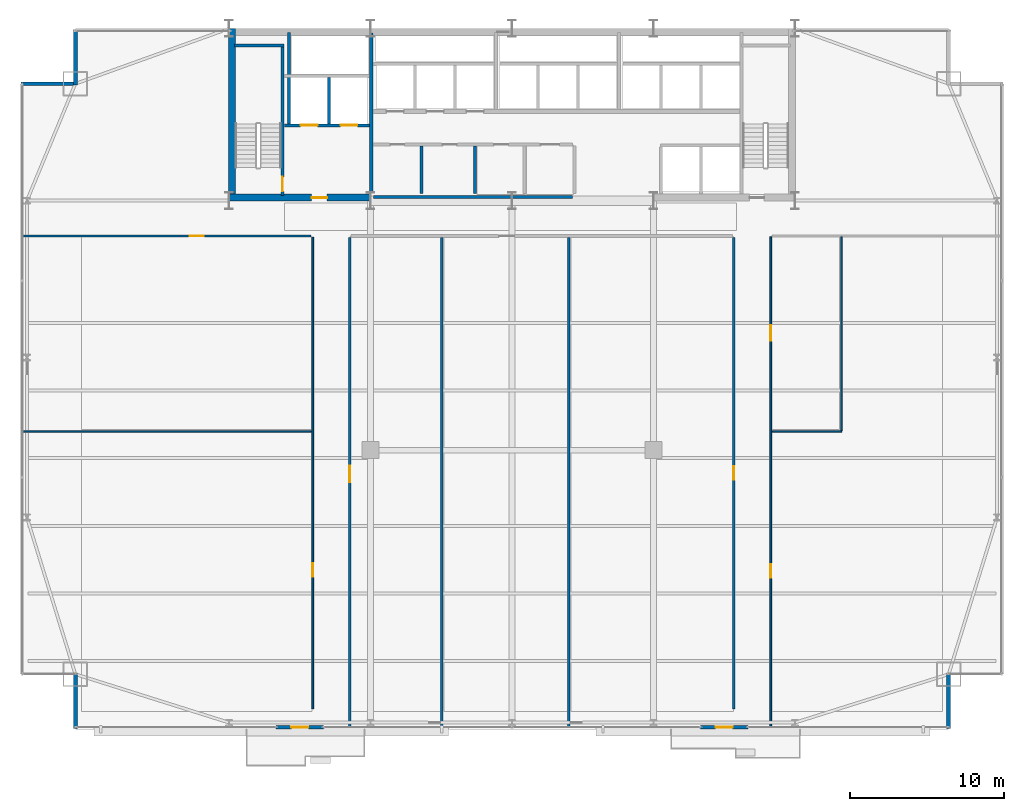
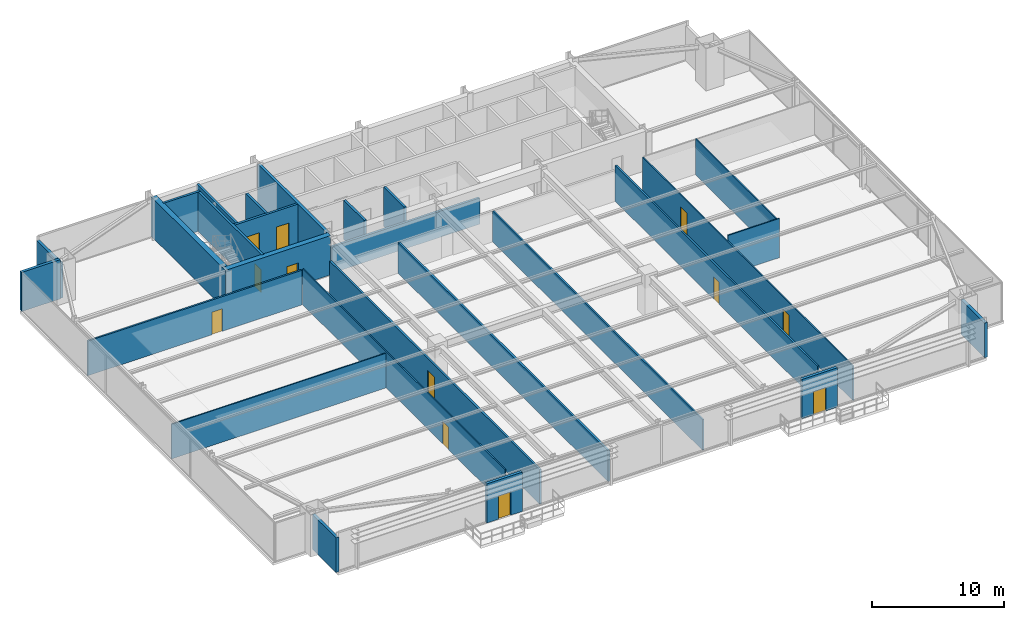
# One storey, part 27 of 31: 27 walls, 12 doors, 12 openings.
"""IFC4 building model written with IfcOpenShell, lengths in metres."""

from ifc_helpers import new_model, si_unit, direction, frame, frame_2d, origin, place, context, subcontext, project, spatial, rectangle, extrude, source, transform, mapped, material, layer, layer_set, type_object, type_shapes, element, fill, save


model = new_model("IFC4")

# Units and contexts
model_context = context("Model", 3, precision=1e-05, world=origin(), true_north=direction((0.0, 1.0)))
body_context = subcontext(model_context, "Body", "Model", "MODEL_VIEW")
ifc_project = project(units=[si_unit("LENGTHUNIT", "METRE"), si_unit("AREAUNIT", "SQUARE_METRE"), si_unit("VOLUMEUNIT", "CUBIC_METRE"), si_unit("PLANEANGLEUNIT", "RADIAN"), si_unit("MASSUNIT", "GRAM", prefix="KILO")], contexts=[model_context])

# Site, building, storey
site_placement = place(None, origin())
site = spatial("IfcSite", under=ifc_project, at=site_placement, CompositionType="ELEMENT")
building_placement = place(site_placement, origin())
building = spatial("IfcBuilding", under=site, at=building_placement, Name="Varnel Quay Broadcast Tower", CompositionType="ELEMENT")
storey_placement = place(building_placement, frame((0.0, 0.0, 35.39990234375)))
storey = spatial("IfcBuildingStorey", under=building, at=storey_placement, Name="L07", CompositionType="ELEMENT", Elevation=35.39990234375)

# Wall, opening, door
ifc_material_1 = material(Name="Concrete CSA A23.3 C50/60", Category="concrete")
ifc_layer_1 = layer(ifc_material_1, 0.199951171875, Name="Concrete CSA A23.3 C50/60")
ifc_layer_set_1 = layer_set([ifc_layer_1], Name="Concrete CSA A23.3 C50/60")
wall_type_1 = type_object("IfcWallType", Name="Wall_CoreShaftShear200", PredefinedType="SHEAR", material=ifc_layer_set_1)
wall_1_placement = place(storey_placement, frame((19.080078125, 35.949951171875, 0.0), z_axis=(0.0, 0.0, 1.0), x_axis=(0.0, 1.0, 0.0)))
wall_1 = element("IfcWall", 1, at=wall_1_placement, inside=storey, type_object=wall_type_1, Name="L07 Stair 1 East Structural Wall", PredefinedType="SHEAR", context=body_context, shape_type="SweptSolid", body=[
    extrude(rectangle(XDim=9.650146484375, YDim=0.199951171875, at=frame_2d((4.8251953125, 0.0))), origin(), (0.0, 0.0, 1.0), 3.650146484375),
])
opening_1_placement = place(wall_1_placement, frame((0.25, 0.0, 0.0)))
opening_1 = element("IfcOpeningElement", 2, at=opening_1_placement, cuts=wall_1, Name="Opening D-L07-S1", PredefinedType="OPENING", context=body_context, shape_type="SweptSolid", body=[
    extrude(rectangle(XDim=0.949951171875, YDim=2.10009765625, at=frame_2d((0.47509765625, 1.050048828125))), frame((0.0, 0.10986328125, 0.0), z_axis=(0.0, -1.0, 0.0), x_axis=(1.0, 0.0, 0.0)), (0.0, 0.0, 1.0), 0.219970703125),
])
ifc_material_2 = material(Name="Insulated Fire-Rated Hollow Steel Door", Category="steel")
door_type_1 = type_object("IfcDoorType", Name="Door_FireStair950", OperationType="NOTDEFINED", PredefinedType="DOOR", material=ifc_material_2)
shared_shape_1 = source(origin(), body_context, "Body", "SweptSolid", [
    extrude(rectangle(XDim=0.949951171875, YDim=2.10009765625, at=frame_2d((0.47509765625, 1.050048828125))), frame((0.0, 0.02490234375, 0.0), z_axis=(0.0, -1.0, 0.0), x_axis=(1.0, 0.0, 0.0)), (0.0, 0.0, 1.0), 0.050048828125),
])
type_shapes(door_type_1, [shared_shape_1])
door_1_placement = place(opening_1_placement, origin())
door_1 = element("IfcDoor", 3, at=door_1_placement, inside=storey, type_object=door_type_1, Name="L07 Stair 1 Fire Door", OperationType="SINGLE_SWING_RIGHT", OverallHeight=2.10009765625, OverallWidth=0.949951171875, PredefinedType="DOOR", context=body_context, shape_type="MappedRepresentation", body=[
    mapped(shared_shape_1, transform((0.0, 0.0, 0.0), x_axis=(1.0, 0.0, 0.0), y_axis=(0.0, 1.0, 0.0), z_axis=(0.0, 0.0, 1.0), scale=1.0)),
])
fill(opening_1, door_1)

# Wall
wall_2_placement = place(storey_placement, frame((15.949951171875, 45.679931640625, 0.0), z_axis=(0.0, 0.0, 1.0), x_axis=(1.0, 0.0, 0.0)))
element("IfcWall", 4, at=wall_2_placement, inside=storey, type_object=wall_type_1, Name="L07 Stair 1 North Structural Wall", PredefinedType="SHEAR", context=body_context, shape_type="SweptSolid", body=[
    extrude(rectangle(XDim=3.22998046875, YDim=0.199951171875, at=frame_2d((1.614990234375, 0.0))), origin(), (0.0, 0.0, 1.0), 3.650146484375),
])

# Wall, openings, doors
wall_3_placement = place(storey_placement, frame((19.199951171875, 40.5, 0.0), z_axis=(0.0, 0.0, 1.0), x_axis=(1.0, 0.0, 0.0)))
wall_3 = element("IfcWall", 5, at=wall_3_placement, inside=storey, type_object=wall_type_1, Name="L07 Firefighter Lift Shaft Front Wall", PredefinedType="SHEAR", context=body_context, shape_type="SweptSolid", body=[
    extrude(rectangle(XDim=5.52001953125, YDim=0.199951171875, at=frame_2d((2.760009765625, 0.0))), origin(), (0.0, 0.0, 1.0), 3.650146484375),
])
opening_2_placement = place(wall_3_placement, frame((1.050048828125, 0.0, 0.0)))
opening_2 = element("IfcOpeningElement", 6, at=opening_2_placement, cuts=wall_3, Name="Opening LD-L07-FE1", PredefinedType="OPENING", context=body_context, shape_type="SweptSolid", body=[
    extrude(rectangle(XDim=1.10009765625, YDim=2.179931640625, at=frame_2d((0.550048828125, 1.08984375))), frame((0.0, 0.10986328125, 0.0), z_axis=(0.0, -1.0, 0.0), x_axis=(1.0, 0.0, 0.0)), (0.0, 0.0, 1.0), 0.219970703125),
])
opening_3_placement = place(wall_3_placement, frame((3.64990234375, 0.0, 0.0)))
opening_3 = element("IfcOpeningElement", 7, at=opening_3_placement, cuts=wall_3, Name="Opening LD-L07-FE2", PredefinedType="OPENING", context=body_context, shape_type="SweptSolid", body=[
    extrude(rectangle(XDim=1.10009765625, YDim=2.179931640625, at=frame_2d((0.550048828125, 1.08984375))), frame((0.0, 0.10986328125, 0.0), z_axis=(0.0, -1.0, 0.0), x_axis=(1.0, 0.0, 0.0)), (0.0, 0.0, 1.0), 0.219970703125),
])
ifc_material_3 = material(Name="Brushed Bronze-Stainless Lift Car & Sliding Doors", Category="steel")
door_type_2 = type_object("IfcDoorType", Name="Door_LiftLanding1100", OperationType="SLIDING_TO_LEFT", PredefinedType="DOOR", material=ifc_material_3)
shared_shape_2 = source(origin(), body_context, "Body", "SweptSolid", [
    extrude(rectangle(XDim=1.10009765625, YDim=2.179931640625, at=frame_2d((0.550048828125, 1.08984375))), frame((0.0, 0.02490234375, 0.0), z_axis=(0.0, -1.0, 0.0), x_axis=(1.0, 0.0, 0.0)), (0.0, 0.0, 1.0), 0.050048828125),
])
type_shapes(door_type_2, [shared_shape_2])
door_2_placement = place(opening_2_placement, frame((1.10009765625, 0.0, 0.0), z_axis=(0.0, 0.0, 1.0), x_axis=(-1.0, 0.0, 0.0)))
door_2 = element("IfcDoor", 8, at=door_2_placement, inside=storey, type_object=door_type_2, Name="L07 Firefighter Lift FE-01 Landing Door", OperationType="SLIDING_TO_LEFT", OverallHeight=2.179931640625, OverallWidth=1.10009765625, PredefinedType="DOOR", context=body_context, shape_type="MappedRepresentation", body=[
    mapped(shared_shape_2, transform((0.0, 0.0, 0.0), x_axis=(1.0, 0.0, 0.0), y_axis=(0.0, 1.0, 0.0), z_axis=(0.0, 0.0, 1.0), scale=1.0)),
])
fill(opening_2, door_2)
door_3_placement = place(opening_3_placement, frame((1.10009765625, 0.0, 0.0), z_axis=(0.0, 0.0, 1.0), x_axis=(-1.0, 0.0, 0.0)))
door_3 = element("IfcDoor", 9, at=door_3_placement, inside=storey, type_object=door_type_2, Name="L07 Firefighter Lift FE-02 Landing Door", OperationType="SLIDING_TO_RIGHT", OverallHeight=2.179931640625, OverallWidth=1.10009765625, PredefinedType="DOOR", context=body_context, shape_type="MappedRepresentation", body=[
    mapped(shared_shape_2, transform((0.0, 0.0, 0.0), x_axis=(1.0, 0.0, 0.0), y_axis=(0.0, 1.0, 0.0), z_axis=(0.0, 0.0, 1.0), scale=1.0)),
])
fill(opening_3, door_3)

# Walls
wall_4_placement = place(storey_placement, frame((22.10009765625, 40.60009765625, 0.0), z_axis=(0.0, 0.0, 1.0), x_axis=(0.0, 1.0, 0.0)))
element("IfcWall", 10, at=wall_4_placement, inside=storey, type_object=wall_type_1, Name="L07 Firefighter Lift Shaft Divider", PredefinedType="SHEAR", context=body_context, shape_type="SweptSolid", body=[
    extrude(rectangle(XDim=3.0, YDim=0.199951171875, at=frame_2d((1.5, 0.0))), origin(), (0.0, 0.0, 1.0), 3.650146484375),
])
wall_5_placement = place(storey_placement, frame((19.5, 40.60009765625, 0.0), z_axis=(0.0, 0.0, 1.0), x_axis=(0.0, 1.0, 0.0)))
element("IfcWall", 11, at=wall_5_placement, inside=storey, type_object=wall_type_1, Name="L07 Firefighter Lift Shaft West Wall", PredefinedType="SHEAR", context=body_context, shape_type="SweptSolid", body=[
    extrude(rectangle(XDim=5.949951171875, YDim=0.199951171875, at=frame_2d((2.97509765625, 0.0))), origin(), (0.0, 0.0, 1.0), 3.650146484375),
])
ifc_layer_2 = layer(ifc_material_1, 0.25, Name="Concrete CSA A23.3 C50/60")
ifc_layer_set_2 = layer_set([ifc_layer_2], Name="Concrete CSA A23.3 C50/60")
wall_type_2 = type_object("IfcWallType", Name="Wall_CoreShaftShear250", PredefinedType="SHEAR", material=ifc_layer_set_2)
wall_6_placement = place(storey_placement, frame((24.85009765625, 36.050048828125, 0.0), z_axis=(0.0, 0.0, 1.0), x_axis=(0.0, 1.0, 0.0)))
element("IfcWall", 12, at=wall_6_placement, inside=storey, type_object=wall_type_2, Name="L07 Firefighting Lobby East Structural Wall", PredefinedType="SHEAR", context=body_context, shape_type="SweptSolid", body=[
    extrude(rectangle(XDim=10.449951171875, YDim=0.25, at=frame_2d((5.22509765625, 0.0))), origin(), (0.0, 0.0, 1.0), 3.650146484375),
])
ifc_material_4 = material(Name="Concrete CSA A23.3 C60/75", Category="concrete")
ifc_layer_3 = layer(ifc_material_4, 0.449951171875, Name="Concrete CSA A23.3 C60/75")
ifc_layer_set_3 = layer_set([ifc_layer_3], Name="Concrete CSA A23.3 C60/75")
wall_type_3 = type_object("IfcWallType", Name="Wall_CoreShearInt450", PredefinedType="SHEAR", material=ifc_layer_set_3)
wall_7_placement = place(storey_placement, frame((15.794921875, 35.570068359375, 0.0), z_axis=(0.0, 0.0, 1.0), x_axis=(0.0, 1.0, 0.0)))
element("IfcWall", 13, at=wall_7_placement, inside=storey, type_object=wall_type_3, Name="L07 West Core Shear Wall", PredefinedType="SHEAR", context=body_context, shape_type="SweptSolid", body=[
    extrude(rectangle(XDim=11.22998046875, YDim=0.449951171875, at=frame_2d((5.614990234375, 0.0))), origin(), (0.0, 0.0, 1.0), 3.650146484375),
])

# Wall, opening, door
wall_8_placement = place(storey_placement, frame((15.570068359375, 35.794921875, 0.0), z_axis=(0.0, 0.0, 1.0), x_axis=(1.0, 0.0, 0.0)))
wall_8 = element("IfcWall", 14, at=wall_8_placement, inside=storey, type_object=wall_type_3, Name="L07 South-West Core Shear Wall", PredefinedType="SHEAR", context=body_context, shape_type="SweptSolid", body=[
    extrude(rectangle(XDim=9.22998046875, YDim=0.449951171875, at=frame_2d((4.614990234375, 0.0))), origin(), (0.0, 0.0, 1.0), 3.650146484375),
])
opening_4_placement = place(wall_8_placement, frame((5.39990234375, 0.0, 0.0)))
opening_4 = element("IfcOpeningElement", 15, at=opening_4_placement, cuts=wall_8, Name="Opening D-L07-FFL", PredefinedType="OPENING", context=body_context, shape_type="SweptSolid", body=[
    extrude(rectangle(XDim=1.0, YDim=2.10009765625, at=frame_2d((0.5, 1.050048828125))), frame((0.0, 0.23486328125, 0.0), z_axis=(0.0, -1.0, 0.0), x_axis=(1.0, 0.0, 0.0)), (0.0, 0.0, 1.0), 0.469970703125),
])
door_type_3 = type_object("IfcDoorType", Name="Door_FireLobby1000", OperationType="NOTDEFINED", PredefinedType="DOOR", material=ifc_material_2)
shared_shape_3 = source(origin(), body_context, "Body", "SweptSolid", [
    extrude(rectangle(XDim=1.0, YDim=2.10009765625, at=frame_2d((0.5, 1.050048828125))), frame((0.0, 0.02490234375, 0.0), z_axis=(0.0, -1.0, 0.0), x_axis=(1.0, 0.0, 0.0)), (0.0, 0.0, 1.0), 0.050048828125),
])
type_shapes(door_type_3, [shared_shape_3])
door_4_placement = place(opening_4_placement, origin())
door_4 = element("IfcDoor", 16, at=door_4_placement, inside=storey, type_object=door_type_3, Name="L07 Firefighting Lobby Door", OperationType="SINGLE_SWING_LEFT", OverallHeight=2.10009765625, OverallWidth=1.0, PredefinedType="DOOR", context=body_context, shape_type="MappedRepresentation", body=[
    mapped(shared_shape_3, transform((0.0, 0.0, 0.0), x_axis=(1.0, 0.0, 0.0), y_axis=(0.0, 1.0, 0.0), z_axis=(0.0, 0.0, 1.0), scale=1.0)),
])
fill(opening_4, door_4)

ifc_material_5 = material(Name="Precast Architectural Concrete C40/50", Category="concrete")
ifc_layer_4 = layer(ifc_material_5, 0.25, Name="Precast Architectural Concrete C40/50")
ifc_layer_set_4 = layer_set([ifc_layer_4], Name="Precast Architectural Concrete C40/50")
wall_type_4 = type_object("IfcWallType", Name="Wall_ExtTerrace250", PredefinedType="SOLIDWALL", material=ifc_layer_set_4)
wall_9_placement = place(storey_placement, frame((18.64990234375, 1.35009765625, 0.0), z_axis=(0.0, 0.0, 1.0), x_axis=(1.0, 0.0, 0.0)))
wall_9 = element("IfcWall", 17, at=wall_9_placement, inside=storey, type_object=wall_type_4, Name="L07 Terrace Access Wall 1", PredefinedType="SOLIDWALL", context=body_context, shape_type="SweptSolid", body=[
    extrude(rectangle(XDim=3.10009765625, YDim=0.25, at=frame_2d((1.550048828125, 0.0))), origin(), (0.0, 0.0, 1.0), 3.630126953125),
])
opening_5_placement = place(wall_9_placement, frame((1.0, 0.0, 0.0)))
opening_5 = element("IfcOpeningElement", 18, at=opening_5_placement, cuts=wall_9, Name="Opening TD-071", PredefinedType="OPENING", context=body_context, shape_type="SweptSolid", body=[
    extrude(rectangle(XDim=1.10009765625, YDim=2.14990234375, at=frame_2d((0.550048828125, 1.074951171875))), frame((0.0, 0.135009765625, 0.0), z_axis=(0.0, -1.0, 0.0), x_axis=(1.0, 0.0, 0.0)), (0.0, 0.0, 1.0), 0.27001953125),
])
ifc_material_6 = material(Name="Anodised Bronze Aluminium 6063-T6", Category="aluminium")
door_type_4 = type_object("IfcDoorType", Name="Door_ExtTerrace1100", OperationType="NOTDEFINED", PredefinedType="DOOR", material=ifc_material_6)
shared_shape_4 = source(origin(), body_context, "Body", "SweptSolid", [
    extrude(rectangle(XDim=1.10009765625, YDim=2.14990234375, at=frame_2d((0.550048828125, 1.074951171875))), frame((0.0, 0.02490234375, 0.0), z_axis=(0.0, -1.0, 0.0), x_axis=(1.0, 0.0, 0.0)), (0.0, 0.0, 1.0), 0.050048828125),
])
type_shapes(door_type_4, [shared_shape_4])
door_5_placement = place(opening_5_placement, frame((1.10009765625, 0.0, 0.0), z_axis=(0.0, 0.0, 1.0), x_axis=(-1.0, 0.0, 0.0)))
door_5 = element("IfcDoor", 19, at=door_5_placement, inside=storey, type_object=door_type_4, Name="L07 Terrace Door TD-071", OperationType="SINGLE_SWING_LEFT", OverallHeight=2.14990234375, OverallWidth=1.10009765625, PredefinedType="DOOR", context=body_context, shape_type="MappedRepresentation", body=[
    mapped(shared_shape_4, transform((0.0, 0.0, 0.0), x_axis=(1.0, 0.0, 0.0), y_axis=(0.0, 1.0, 0.0), z_axis=(0.0, 0.0, 1.0), scale=1.0)),
])
fill(opening_5, door_5)

wall_10_placement = place(storey_placement, frame((46.25, 1.35009765625, 0.0), z_axis=(0.0, 0.0, 1.0), x_axis=(1.0, 0.0, 0.0)))
wall_10 = element("IfcWall", 20, at=wall_10_placement, inside=storey, type_object=wall_type_4, Name="L07 Terrace Access Wall 2", PredefinedType="SOLIDWALL", context=body_context, shape_type="SweptSolid", body=[
    extrude(rectangle(XDim=3.10009765625, YDim=0.25, at=frame_2d((1.550048828125, 0.0))), origin(), (0.0, 0.0, 1.0), 3.630126953125),
])
opening_6_placement = place(wall_10_placement, frame((1.0, 0.0, 0.0)))
opening_6 = element("IfcOpeningElement", 21, at=opening_6_placement, cuts=wall_10, Name="Opening TD-072", PredefinedType="OPENING", context=body_context, shape_type="SweptSolid", body=[
    extrude(rectangle(XDim=1.10009765625, YDim=2.14990234375, at=frame_2d((0.550048828125, 1.074951171875))), frame((0.0, 0.135009765625, 0.0), z_axis=(0.0, -1.0, 0.0), x_axis=(1.0, 0.0, 0.0)), (0.0, 0.0, 1.0), 0.27001953125),
])
door_6_placement = place(opening_6_placement, frame((1.10009765625, 0.0, 0.0), z_axis=(0.0, 0.0, 1.0), x_axis=(-1.0, 0.0, 0.0)))
door_6 = element("IfcDoor", 22, at=door_6_placement, inside=storey, type_object=door_type_4, Name="L07 Terrace Door TD-072", OperationType="SINGLE_SWING_RIGHT", OverallHeight=2.14990234375, OverallWidth=1.10009765625, PredefinedType="DOOR", context=body_context, shape_type="MappedRepresentation", body=[
    mapped(shared_shape_4, transform((0.0, 0.0, 0.0), x_axis=(1.0, 0.0, 0.0), y_axis=(0.0, 1.0, 0.0), z_axis=(0.0, 0.0, 1.0), scale=1.0)),
])
fill(opening_6, door_6)

# Walls
for number, where, z_axis, x_axis, name in (
    (23, (5.60009765625, 1.280029296875, 0.0), (0.0, 0.0, 1.0), (0.0, 1.0, 0.0), "L07 Mega-Column Notch Cladding Wall NSW2"),
    (24, (62.39990234375, 1.280029296875, 0.0), (0.0, 0.0, 1.0), (0.0, 1.0, 0.0), "L07 Mega-Column Notch Cladding Wall NSE2"),
):
    element("IfcWall", number, at=place(storey_placement, frame(where, z_axis=z_axis, x_axis=x_axis)), inside=storey, type_object=wall_type_4, Name=name, PredefinedType="SOLIDWALL", context=body_context, shape_type="SweptSolid", body=[
        extrude(rectangle(XDim=3.599853515625, YDim=0.25, at=frame_2d((1.7998046875, 0.0))), origin(), (0.0, 0.0, 1.0), 3.2080078125),
    ])
wall_11_placement = place(storey_placement, frame((2.080078125, 43.199951171875, 0.0), z_axis=(0.0, 0.0, 1.0), x_axis=(1.0, 0.0, 0.0)))
element("IfcWall", 25, at=wall_11_placement, inside=storey, type_object=wall_type_4, Name="L07 Mega-Column Notch Cladding Wall NNW1", PredefinedType="SOLIDWALL", context=body_context, shape_type="SweptSolid", body=[
    extrude(rectangle(XDim=3.389892578125, YDim=0.25, at=frame_2d((1.69482421875, 0.0))), origin(), (0.0, 0.0, 1.0), 3.630126953125),
])
wall_12_placement = place(storey_placement, frame((5.60009765625, 43.1201171875, 0.0), z_axis=(0.0, 0.0, 1.0), x_axis=(0.0, 1.0, 0.0)))
element("IfcWall", 26, at=wall_12_placement, inside=storey, type_object=wall_type_4, Name="L07 Mega-Column Notch Cladding Wall NNW2", PredefinedType="SOLIDWALL", context=body_context, shape_type="SweptSolid", body=[
    extrude(rectangle(XDim=3.599853515625, YDim=0.25, at=frame_2d((1.7998046875, 0.0))), origin(), (0.0, 0.0, 1.0), 3.2080078125),
])
ifc_material_7 = material(Name="Concrete Blockwork Fire Enclosure C40/50", Category="masonry")
ifc_layer_5 = layer(ifc_material_7, 0.199951171875, Name="Concrete Blockwork Fire Enclosure C40/50")
ifc_layer_set_5 = layer_set([ifc_layer_5], Name="Concrete Blockwork Fire Enclosure C40/50")
wall_type_5 = type_object("IfcWallType", Name="Wall_FireShaft200", PredefinedType="SOLIDWALL", material=ifc_layer_set_5)
wall_13_placement = place(storey_placement, frame((25.0, 35.824951171875, 0.0), z_axis=(0.0, 0.0, 1.0), x_axis=(1.0, 0.0, 0.0)))
element("IfcWall", 27, at=wall_13_placement, inside=storey, type_object=wall_type_5, Name="L07 Accessible Universal Washroom Partition 1", PredefinedType="SOLIDWALL", context=body_context, shape_type="SweptSolid", body=[
    extrude(rectangle(XDim=12.949951171875, YDim=0.199951171875, at=frame_2d((6.47509765625, 0.0))), origin(), (0.0, 0.0, 1.0), 2.425048828125),
])

# Wall, opening, door
ifc_material_8 = material(Name="Steel-Stud Fire-Rated Acoustic Gypsum Partition Assembly", Category="steel")
ifc_layer_6 = layer(ifc_material_8, 0.10498046875, Name="Steel-Stud Fire-Rated Acoustic Gypsum Partition Assembly")
ifc_layer_set_6 = layer_set([ifc_layer_6], Name="Steel-Stud Fire-Rated Acoustic Gypsum Partition Assembly")
wall_type_6 = type_object("IfcWallType", Name="Wall_Partition105", PredefinedType="PARTITIONING", material=ifc_layer_set_6)
wall_14_placement = place(storey_placement, frame((21.0400390625, 2.550048828125, 0.0), z_axis=(0.0, 0.0, 1.0), x_axis=(0.0, 1.0, 0.0)))
wall_14 = element("IfcWall", 28, at=wall_14_placement, inside=storey, type_object=wall_type_6, Name="L07 Ingest Vault Store 1 Partition 7", PredefinedType="PARTITIONING", context=body_context, shape_type="SweptSolid", body=[
    extrude(rectangle(XDim=30.675048828125, YDim=0.10498046875, at=frame_2d((15.33740234375, 0.0))), origin(), (0.0, 0.0, 1.0), 3.322021484375),
])
opening_7_placement = place(wall_14_placement, frame((8.574951171875, 0.0, 0.0)))
opening_7 = element("IfcOpeningElement", 29, at=opening_7_placement, cuts=wall_14, Name="Opening D-L07-05", PredefinedType="OPENING", context=body_context, shape_type="SweptSolid", body=[
    extrude(rectangle(XDim=0.8798828125, YDim=2.06005859375, at=frame_2d((0.43994140625, 1.030029296875))), frame((0.0, 0.0625, 0.0), z_axis=(0.0, -1.0, 0.0), x_axis=(1.0, 0.0, 0.0)), (0.0, 0.0, 1.0), 0.125),
])
ifc_material_9 = material(Name="Solid-Core Fire-Rated Acoustic Oak Veneer Door", Category="wood")
door_type_5 = type_object("IfcDoorType", Name="Door_Booth880", OperationType="NOTDEFINED", PredefinedType="DOOR", material=ifc_material_9)
shared_shape_5 = source(origin(), body_context, "Body", "SweptSolid", [
    extrude(rectangle(XDim=0.8798828125, YDim=2.06005859375, at=frame_2d((0.43994140625, 1.030029296875))), frame((0.0, 0.02490234375, 0.0), z_axis=(0.0, -1.0, 0.0), x_axis=(1.0, 0.0, 0.0)), (0.0, 0.0, 1.0), 0.050048828125),
])
type_shapes(door_type_5, [shared_shape_5])
door_7_placement = place(opening_7_placement, origin())
door_7 = element("IfcDoor", 30, at=door_7_placement, inside=storey, type_object=door_type_5, Name="L07 Ingest Vault Store 1 Door D-L07-05", OperationType="SINGLE_SWING_LEFT", OverallHeight=2.06005859375, OverallWidth=0.8798828125, PredefinedType="DOOR", context=body_context, shape_type="MappedRepresentation", body=[
    mapped(shared_shape_5, transform((0.0, 0.0, 0.0), x_axis=(1.0, 0.0, 0.0), y_axis=(0.0, 1.0, 0.0), z_axis=(0.0, 0.0, 1.0), scale=1.0)),
])
fill(opening_7, door_7)

# Walls
wall_15_placement = place(storey_placement, frame((2.179931640625, 20.580078125, 0.0), z_axis=(0.0, 0.0, 1.0), x_axis=(1.0, 0.0, 0.0)))
element("IfcWall", 31, at=wall_15_placement, inside=storey, type_object=wall_type_6, Name="L07 Ingest Vault Store 1 Partition 8", PredefinedType="PARTITIONING", context=body_context, shape_type="SweptSolid", body=[
    extrude(rectangle(XDim=18.760009765625, YDim=0.10498046875, at=frame_2d((9.3798828125, 0.0))), origin(), (0.0, 0.0, 1.0), 3.2080078125),
])
wall_16_placement = place(storey_placement, frame((55.43994140625, 20.632080078125, 0.0), z_axis=(0.0, 0.0, 1.0), x_axis=(0.0, 1.0, 0.0)))
element("IfcWall", 32, at=wall_16_placement, inside=storey, type_object=wall_type_6, Name="L07 Lens & Rigging Store 6 Partition 16", PredefinedType="PARTITIONING", context=body_context, shape_type="SweptSolid", body=[
    extrude(rectangle(XDim=12.614990234375, YDim=0.10498046875, at=frame_2d((6.3076171875, 0.0))), origin(), (0.0, 0.0, 1.0), 3.322021484375),
])
wall_17_placement = place(storey_placement, frame((50.929931640625, 20.580078125, 0.0), z_axis=(0.0, 0.0, 1.0), x_axis=(1.0, 0.0, 0.0)))
element("IfcWall", 33, at=wall_17_placement, inside=storey, type_object=wall_type_6, Name="L07 Lens & Rigging Store 6 Partition 17", PredefinedType="PARTITIONING", context=body_context, shape_type="SweptSolid", body=[
    extrude(rectangle(XDim=4.510009765625, YDim=0.10498046875, at=frame_2d((2.2548828125, 0.0))), origin(), (0.0, 0.0, 1.0), 3.630126953125),
])

# Wall, openings, doors
wall_18_placement = place(storey_placement, frame((50.830078125, 1.3798828125, 0.0), z_axis=(0.0, 0.0, 1.0), x_axis=(0.0, 1.0, 0.0)))
wall_18 = element("IfcWall", 34, at=wall_18_placement, inside=storey, type_object=wall_type_6, Name="L07 Lens & Rigging Store 6 Partition 18", PredefinedType="PARTITIONING", context=body_context, shape_type="SweptSolid", body=[
    extrude(rectangle(XDim=31.8671875, YDim=0.10498046875, at=frame_2d((15.93359375, 0.0))), origin(), (0.0, 0.0, 1.0), 3.2080078125),
])
opening_8_placement = place(wall_18_placement, frame((9.68994140625, 0.0, 0.0)))
opening_8 = element("IfcOpeningElement", 35, at=opening_8_placement, cuts=wall_18, Name="Opening D-L07-10", PredefinedType="OPENING", context=body_context, shape_type="SweptSolid", body=[
    extrude(rectangle(XDim=0.8798828125, YDim=2.06005859375, at=frame_2d((0.43994140625, 1.030029296875))), frame((0.0, 0.0625, 0.0), z_axis=(0.0, -1.0, 0.0), x_axis=(1.0, 0.0, 0.0)), (0.0, 0.0, 1.0), 0.125),
])
opening_9_placement = place(wall_18_placement, frame((25.110107421875, 0.0, 0.0)))
opening_9 = element("IfcOpeningElement", 36, at=opening_9_placement, cuts=wall_18, Name="Opening D-L07-11", PredefinedType="OPENING", context=body_context, shape_type="SweptSolid", body=[
    extrude(rectangle(XDim=1.0, YDim=2.10009765625, at=frame_2d((0.5, 1.050048828125))), frame((0.0, 0.0625, 0.0), z_axis=(0.0, -1.0, 0.0), x_axis=(1.0, 0.0, 0.0)), (0.0, 0.0, 1.0), 0.125),
])
door_8_placement = place(opening_8_placement, frame((0.8798828125, 0.0, 0.0), z_axis=(0.0, 0.0, 1.0), x_axis=(-1.0, 0.0, 0.0)))
door_8 = element("IfcDoor", 37, at=door_8_placement, inside=storey, type_object=door_type_5, Name="L07 Lens & Rigging Store 6 Door D-L07-10", OperationType="SINGLE_SWING_RIGHT", OverallHeight=2.06005859375, OverallWidth=0.8798828125, PredefinedType="DOOR", context=body_context, shape_type="MappedRepresentation", body=[
    mapped(shared_shape_5, transform((0.0, 0.0, 0.0), x_axis=(1.0, 0.0, 0.0), y_axis=(0.0, 1.0, 0.0), z_axis=(0.0, 0.0, 1.0), scale=1.0)),
])
fill(opening_8, door_8)
door_type_6 = type_object("IfcDoorType", Name="Door_Exec1000", OperationType="NOTDEFINED", PredefinedType="DOOR", material=ifc_material_9)
shared_shape_6 = source(origin(), body_context, "Body", "SweptSolid", [
    extrude(rectangle(XDim=1.0, YDim=2.10009765625, at=frame_2d((0.5, 1.050048828125))), frame((0.0, 0.02490234375, 0.0), z_axis=(0.0, -1.0, 0.0), x_axis=(1.0, 0.0, 0.0)), (0.0, 0.0, 1.0), 0.050048828125),
])
type_shapes(door_type_6, [shared_shape_6])
door_9_placement = place(opening_9_placement, frame((1.0, 0.0, 0.0), z_axis=(0.0, 0.0, 1.0), x_axis=(-1.0, 0.0, 0.0)))
door_9 = element("IfcDoor", 38, at=door_9_placement, inside=storey, type_object=door_type_6, Name="L07 Producer Lounge 7 Door D-L07-11", OperationType="SINGLE_SWING_LEFT", OverallHeight=2.10009765625, OverallWidth=1.0, PredefinedType="DOOR", context=body_context, shape_type="MappedRepresentation", body=[
    mapped(shared_shape_6, transform((0.0, 0.0, 0.0), x_axis=(1.0, 0.0, 0.0), y_axis=(0.0, 1.0, 0.0), z_axis=(0.0, 0.0, 1.0), scale=1.0)),
])
fill(opening_9, door_9)

# Wall
ifc_layer_7 = layer(ifc_material_8, 0.139892578125, Name="Steel-Stud Fire-Rated Acoustic Gypsum Partition Assembly")
ifc_layer_set_7 = layer_set([ifc_layer_7], Name="Steel-Stud Fire-Rated Acoustic Gypsum Partition Assembly")
wall_type_7 = type_object("IfcWallType", Name="Wall_Partition140", PredefinedType="PARTITIONING", material=ifc_layer_set_7)
wall_19_placement = place(storey_placement, frame((37.68994140625, 1.3798828125, 0.0), z_axis=(0.0, 0.0, 1.0), x_axis=(0.0, 1.0, 0.0)))
element("IfcWall", 39, at=wall_19_placement, inside=storey, type_object=wall_type_7, Name="L07 Producer Lounge 4 Partition 13", PredefinedType="PARTITIONING", context=body_context, shape_type="SweptSolid", body=[
    extrude(rectangle(XDim=31.83203125, YDim=0.139892578125, at=frame_2d((15.916015625, 0.0))), origin(), (0.0, 0.0, 1.0), 2.85205078125),
])

# Wall, opening, door
ifc_layer_8 = layer(ifc_material_8, 0.14990234375, Name="Steel-Stud Fire-Rated Acoustic Gypsum Partition Assembly")
ifc_layer_set_8 = layer_set([ifc_layer_8], Name="Steel-Stud Fire-Rated Acoustic Gypsum Partition Assembly")
wall_type_8 = type_object("IfcWallType", Name="Wall_Partition150", PredefinedType="PARTITIONING", material=ifc_layer_set_8)
wall_20_placement = place(storey_placement, frame((2.179931640625, 33.300048828125, 0.0), z_axis=(0.0, 0.0, 1.0), x_axis=(1.0, 0.0, 0.0)))
wall_20 = element("IfcWall", 40, at=wall_20_placement, inside=storey, type_object=wall_type_8, Name="L07 Color Timing Suite 2 Partition 9", PredefinedType="PARTITIONING", context=body_context, shape_type="SweptSolid", body=[
    extrude(rectangle(XDim=18.760009765625, YDim=0.14990234375, at=frame_2d((9.3798828125, 0.0))), origin(), (0.0, 0.0, 1.0), 3.2080078125),
])
opening_10_placement = place(wall_20_placement, frame((10.85498046875, 0.0, 0.0)))
opening_10 = element("IfcOpeningElement", 41, at=opening_10_placement, cuts=wall_20, Name="Opening D-L07-06", PredefinedType="OPENING", context=body_context, shape_type="SweptSolid", body=[
    extrude(rectangle(XDim=0.919921875, YDim=2.080078125, at=frame_2d((0.4599609375, 1.0400390625))), frame((0.0, 0.0849609375, 0.0), z_axis=(0.0, -1.0, 0.0), x_axis=(1.0, 0.0, 0.0)), (0.0, 0.0, 1.0), 0.169921875),
])
door_type_7 = type_object("IfcDoorType", Name="Door_Office920", OperationType="NOTDEFINED", PredefinedType="DOOR", material=ifc_material_9)
shared_shape_7 = source(origin(), body_context, "Body", "SweptSolid", [
    extrude(rectangle(XDim=0.919921875, YDim=2.080078125, at=frame_2d((0.4599609375, 1.0400390625))), frame((0.0, 0.02490234375, 0.0), z_axis=(0.0, -1.0, 0.0), x_axis=(1.0, 0.0, 0.0)), (0.0, 0.0, 1.0), 0.050048828125),
])
type_shapes(door_type_7, [shared_shape_7])
door_10_placement = place(opening_10_placement, frame((0.919921875, 0.0, 0.0), z_axis=(0.0, 0.0, 1.0), x_axis=(-1.0, 0.0, 0.0)))
door_10 = element("IfcDoor", 42, at=door_10_placement, inside=storey, type_object=door_type_7, Name="L07 Color Timing Suite 2 Door D-L07-06", OperationType="SINGLE_SWING_RIGHT", OverallHeight=2.080078125, OverallWidth=0.919921875, PredefinedType="DOOR", context=body_context, shape_type="MappedRepresentation", body=[
    mapped(shared_shape_7, transform((0.0, 0.0, 0.0), x_axis=(1.0, 0.0, 0.0), y_axis=(0.0, 1.0, 0.0), z_axis=(0.0, 0.0, 1.0), scale=1.0)),
])
fill(opening_10, door_10)

wall_21_placement = place(storey_placement, frame((48.429931640625, 2.550048828125, 0.0), z_axis=(0.0, 0.0, 1.0), x_axis=(0.0, 1.0, 0.0)))
wall_21 = element("IfcWall", 43, at=wall_21_placement, inside=storey, type_object=wall_type_8, Name="L07 Tea Kitchen 5 Partition 14", PredefinedType="PARTITIONING", context=body_context, shape_type="SweptSolid", body=[
    extrude(rectangle(XDim=30.661865234375, YDim=0.14990234375, at=frame_2d((15.3310546875, 0.0))), origin(), (0.0, 0.0, 1.0), 3.322021484375),
])
opening_11_placement = place(wall_21_placement, frame((14.885009765625, 0.0, 0.0)))
opening_11 = element("IfcOpeningElement", 44, at=opening_11_placement, cuts=wall_21, Name="Opening D-L07-09", PredefinedType="OPENING", context=body_context, shape_type="SweptSolid", body=[
    extrude(rectangle(XDim=0.8798828125, YDim=2.06005859375, at=frame_2d((0.43994140625, 1.030029296875))), frame((0.0, 0.0849609375, 0.0), z_axis=(0.0, -1.0, 0.0), x_axis=(1.0, 0.0, 0.0)), (0.0, 0.0, 1.0), 0.169921875),
])
door_11_placement = place(opening_11_placement, origin())
door_11 = element("IfcDoor", 45, at=door_11_placement, inside=storey, type_object=door_type_5, Name="L07 Tea Kitchen 5 Door D-L07-09", OperationType="SINGLE_SWING_LEFT", OverallHeight=2.06005859375, OverallWidth=0.8798828125, PredefinedType="DOOR", context=body_context, shape_type="MappedRepresentation", body=[
    mapped(shared_shape_5, transform((0.0, 0.0, 0.0), x_axis=(1.0, 0.0, 0.0), y_axis=(0.0, 1.0, 0.0), z_axis=(0.0, 0.0, 1.0), scale=1.0)),
])
fill(opening_11, door_11)

# Wall
ifc_layer_9 = layer(ifc_material_8, 0.175048828125, Name="Steel-Stud Fire-Rated Acoustic Gypsum Partition Assembly")
ifc_layer_set_9 = layer_set([ifc_layer_9], Name="Steel-Stud Fire-Rated Acoustic Gypsum Partition Assembly")
wall_type_9 = type_object("IfcWallType", Name="Wall_Partition175", PredefinedType="PARTITIONING", material=ifc_layer_set_9)
wall_22_placement = place(storey_placement, frame((29.429931640625, 1.3798828125, 0.0), z_axis=(0.0, 0.0, 1.0), x_axis=(0.0, 1.0, 0.0)))
element("IfcWall", 46, at=wall_22_placement, inside=storey, type_object=wall_type_9, Name="L07 Screening Meeting Room 3 Partition 10", PredefinedType="PARTITIONING", context=body_context, shape_type="SweptSolid", body=[
    extrude(rectangle(XDim=31.83203125, YDim=0.175048828125, at=frame_2d((15.916015625, 0.0))), origin(), (0.0, 0.0, 1.0), 2.85205078125),
])

# Wall, opening, door
wall_23_placement = place(storey_placement, frame((23.43994140625, 1.3798828125, 0.0), z_axis=(0.0, 0.0, 1.0), x_axis=(0.0, 1.0, 0.0)))
wall_23 = element("IfcWall", 47, at=wall_23_placement, inside=storey, type_object=wall_type_9, Name="L07 Screening Meeting Room 3 Partition 12", PredefinedType="PARTITIONING", context=body_context, shape_type="SweptSolid", body=[
    extrude(rectangle(XDim=31.83203125, YDim=0.175048828125, at=frame_2d((15.916015625, 0.0))), origin(), (0.0, 0.0, 1.0), 3.2080078125),
])
opening_12_placement = place(wall_23_placement, frame((15.9150390625, 0.0, 0.0)))
opening_12 = element("IfcOpeningElement", 48, at=opening_12_placement, cuts=wall_23, Name="Opening D-L07-07", PredefinedType="OPENING", context=body_context, shape_type="SweptSolid", body=[
    extrude(rectangle(XDim=1.050048828125, YDim=2.10009765625, at=frame_2d((0.52490234375, 1.050048828125))), frame((0.0, 0.09765625, 0.0), z_axis=(0.0, -1.0, 0.0), x_axis=(1.0, 0.0, 0.0)), (0.0, 0.0, 1.0), 0.195068359375),
])
door_type_8 = type_object("IfcDoorType", Name="Door_Meeting1050", OperationType="NOTDEFINED", PredefinedType="DOOR", material=ifc_material_9)
shared_shape_8 = source(origin(), body_context, "Body", "SweptSolid", [
    extrude(rectangle(XDim=1.050048828125, YDim=2.10009765625, at=frame_2d((0.52490234375, 1.050048828125))), frame((0.0, 0.02490234375, 0.0), z_axis=(0.0, -1.0, 0.0), x_axis=(1.0, 0.0, 0.0)), (0.0, 0.0, 1.0), 0.050048828125),
])
type_shapes(door_type_8, [shared_shape_8])
door_12_placement = place(opening_12_placement, frame((1.050048828125, 0.0, 0.0), z_axis=(0.0, 0.0, 1.0), x_axis=(-1.0, 0.0, 0.0)))
door_12 = element("IfcDoor", 49, at=door_12_placement, inside=storey, type_object=door_type_8, Name="L07 Screening Meeting Room 3 Door D-L07-07", OperationType="SINGLE_SWING_LEFT", OverallHeight=2.10009765625, OverallWidth=1.050048828125, PredefinedType="DOOR", context=body_context, shape_type="MappedRepresentation", body=[
    mapped(shared_shape_8, transform((0.0, 0.0, 0.0), x_axis=(1.0, 0.0, 0.0), y_axis=(0.0, 1.0, 0.0), z_axis=(0.0, 0.0, 1.0), scale=1.0)),
])
fill(opening_12, door_12)

# Walls
ifc_material_10 = material(Name="Fire-Rated Moisture-Resistant Plumbing Chase Partition")
ifc_layer_10 = layer(ifc_material_10, 0.199951171875, Name="Fire-Rated Moisture-Resistant Plumbing Chase Partition")
ifc_layer_set_10 = layer_set([ifc_layer_10], Name="Fire-Rated Moisture-Resistant Plumbing Chase Partition")
wall_type_10 = type_object("IfcWallType", Name="Wall_Plumbing200", PredefinedType="PLUMBINGWALL", material=ifc_layer_set_10)
for number, where, z_axis, x_axis, name in (
    (50, (28.10009765625, 36.050048828125, 0.0), (0.0, 0.0, 1.0), (0.0, 1.0, 0.0), "L07 Accessible Universal Washroom Partition 2"),
    (51, (31.60009765625, 36.050048828125, 0.0), (0.0, 0.0, 1.0), (0.0, 1.0, 0.0), "L07 Staff Washroom Block Partition 4"),
):
    element("IfcWall", number, at=place(storey_placement, frame(where, z_axis=z_axis, x_axis=x_axis)), inside=storey, type_object=wall_type_10, Name=name, PredefinedType="PLUMBINGWALL", context=body_context, shape_type="SweptSolid", body=[
        extrude(rectangle(XDim=3.099853515625, YDim=0.199951171875, at=frame_2d((1.5498046875, 0.0))), origin(), (0.0, 0.0, 1.0), 3.630126953125),
    ])

save(model, "model.ifc")
